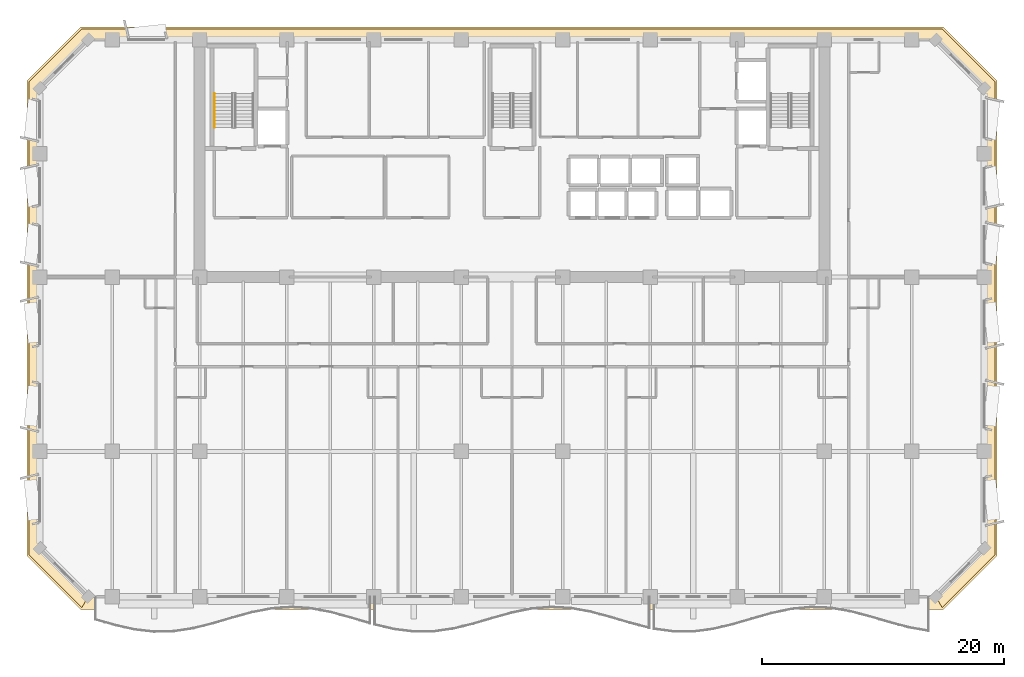
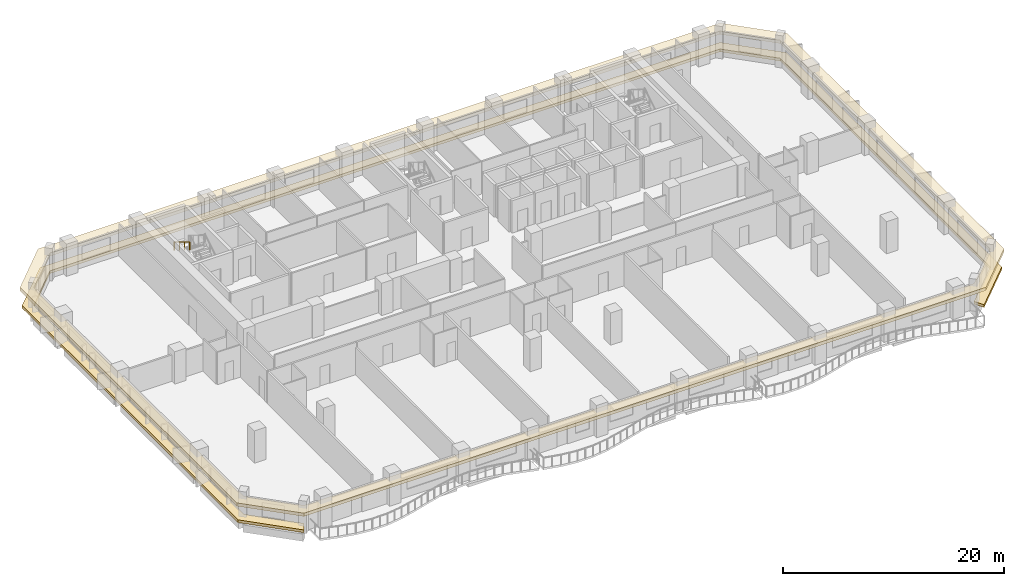
# One storey, part 11 of 14: 2 coverings, 1 railing.
"""IFC4 building model written with IfcOpenShell, lengths in metres."""

from ifc_helpers import new_model, si_unit, direction, frame, origin, origin_2d, place, context, subcontext, project, spatial, polyline, rectangle, outline, extrude, material, layer, layer_set, type_object, element, save


model = new_model("IFC4")

# Units and contexts
model_context = context("Model", 3, precision=1e-05, world=origin(), true_north=direction((0.0, 1.0)))
body_context = subcontext(model_context, "Body", "Model", "MODEL_VIEW")
ifc_project = project(units=[si_unit("LENGTHUNIT", "METRE"), si_unit("AREAUNIT", "SQUARE_METRE"), si_unit("VOLUMEUNIT", "CUBIC_METRE"), si_unit("PLANEANGLEUNIT", "RADIAN"), si_unit("MASSUNIT", "GRAM", prefix="KILO")], contexts=[model_context])

# Site, building, storey
site_placement = place(None, origin())
site = spatial("IfcSite", under=ifc_project, at=site_placement, CompositionType="ELEMENT")
building_placement = place(site_placement, origin())
building = spatial("IfcBuilding", under=site, at=building_placement, Name="Kaelvorn Grand Hotel", CompositionType="ELEMENT")
storey_placement = place(building_placement, frame((0.0, 0.0, 193.949951171875)))
storey = spatial("IfcBuildingStorey", under=building, at=storey_placement, Name="L47", CompositionType="ELEMENT", Elevation=193.949951171875)

# Coverings
ifc_material_1 = material(Name="Precast concrete C45/55", Category="concrete")
ifc_layer_1 = layer(ifc_material_1, 0.260009765625)
ifc_layer_set_1 = layer_set([ifc_layer_1], Name="Precast concrete C45/55")
covering_type_1 = type_object("IfcCoveringType", Name="COV-BAND-STREAMLINE-HEAD", PredefinedType="CLADDING", material=ifc_layer_set_1)
covering_1_placement = place(storey_placement, frame((0.0, 0.0, 2.380126953125)))
element("IfcCovering", 1, at=covering_1_placement, inside=storey, type_object=covering_type_1, Name="L47 Streamline Moderne Wraparound Horizontal Eyebrow Band", PredefinedType="CLADDING", context=body_context, shape_type="SweptSolid", body=[
    extrude(outline(polyline([(6.389892578125, 1.949951171875), (77.610107421875, 1.949951171875), (82.050048828125, 6.389892578125), (82.050048828125, 45.610107421875), (77.610107421875, 50.050048828125), (6.389892578125, 50.050048828125), (1.949951171875, 45.610107421875), (1.949951171875, 6.389892578125), (6.389892578125, 1.949951171875)]), holes=[polyline([(7.02001953125, 3.030029296875), (76.97998046875, 3.030029296875), (80.969970703125, 7.02001953125), (80.969970703125, 44.97998046875), (76.97998046875, 48.969970703125), (7.02001953125, 48.969970703125), (3.030029296875, 44.97998046875), (3.030029296875, 7.02001953125), (7.02001953125, 3.030029296875)])]), origin(), (0.0, 0.0, 1.0), 0.35986328125),
])
ifc_layer_2 = layer(ifc_material_1, 0.219970703125)
ifc_layer_set_2 = layer_set([ifc_layer_2], Name="Precast concrete C45/55")
covering_type_2 = type_object("IfcCoveringType", Name="COV-BAND-STREAMLINE-SILL", PredefinedType="CLADDING", material=ifc_layer_set_2)
covering_2_placement = place(storey_placement, frame((0.0, 0.0, 0.449951171875)))
element("IfcCovering", 2, at=covering_2_placement, inside=storey, type_object=covering_type_2, Name="L47 Streamline Moderne Wraparound Horizontal Sill Spandrel Band", PredefinedType="CLADDING", context=body_context, shape_type="SweptSolid", body=[
    extrude(outline(polyline([(77.515380859375, 2.1201171875), (81.8798828125, 6.484619140625), (81.8798828125, 45.515380859375), (77.515380859375, 49.8798828125), (6.484619140625, 49.8798828125), (2.1201171875, 45.515380859375), (2.1201171875, 6.484619140625), (6.484619140625, 2.1201171875), (7.017578125, 3.030029296875), (3.030029296875, 7.017578125), (3.030029296875, 44.982421875), (7.017578125, 48.969970703125), (76.982421875, 48.969970703125), (80.969970703125, 44.982421875), (80.969970703125, 7.017578125), (76.982421875, 3.030029296875), (77.515380859375, 2.1201171875)])), origin(), (0.0, 0.0, 1.0), 0.300048828125),
])

# Railing
ifc_material_2 = material(Name="Stainless Steel", Category="steel")
railing_type = type_object("IfcRailingType", Name="RL-HANDRAIL-900", PredefinedType="HANDRAIL", material=ifc_material_2)
railing_placement = place(storey_placement, frame((17.449951171875, 44.56005859375, 2.07275390625)))
element("IfcRailing", 3, at=railing_placement, inside=storey, type_object=railing_type, Name="L47 ST1 stair handrail 2", PredefinedType="HANDRAIL", context=body_context, shape_type="SweptSolid", body=[
    extrude(rectangle(XDim=0.048095703125, YDim=0.048095703125, at=origin_2d()), frame((0.0, 0.0, 0.8759765625), z_axis=(0.0, -0.851089632645, 0.525020415988), x_axis=(1.0, 0.0, 0.0)), (0.0, 0.0, 1.0), 3.2900390625),
    extrude(rectangle(XDim=0.0419921875, YDim=0.0419921875, at=origin_2d()), origin(), (0.0, 0.0, 1.0), 0.851806640625),
    extrude(rectangle(XDim=0.0419921875, YDim=0.0419921875, at=origin_2d()), frame((0.0, -0.933349609375, 0.57568359375)), (0.0, 0.0, 1.0), 0.851806640625),
    extrude(rectangle(XDim=0.0419921875, YDim=0.0419921875, at=origin_2d()), frame((0.0, -1.86669921875, 1.151611328125)), (0.0, 0.0, 1.0), 0.851806640625),
    extrude(rectangle(XDim=0.0419921875, YDim=0.0419921875, at=origin_2d()), frame((0.0, -2.800048828125, 1.727294921875)), (0.0, 0.0, 1.0), 0.851806640625),
])

save(model, "model.ifc")
